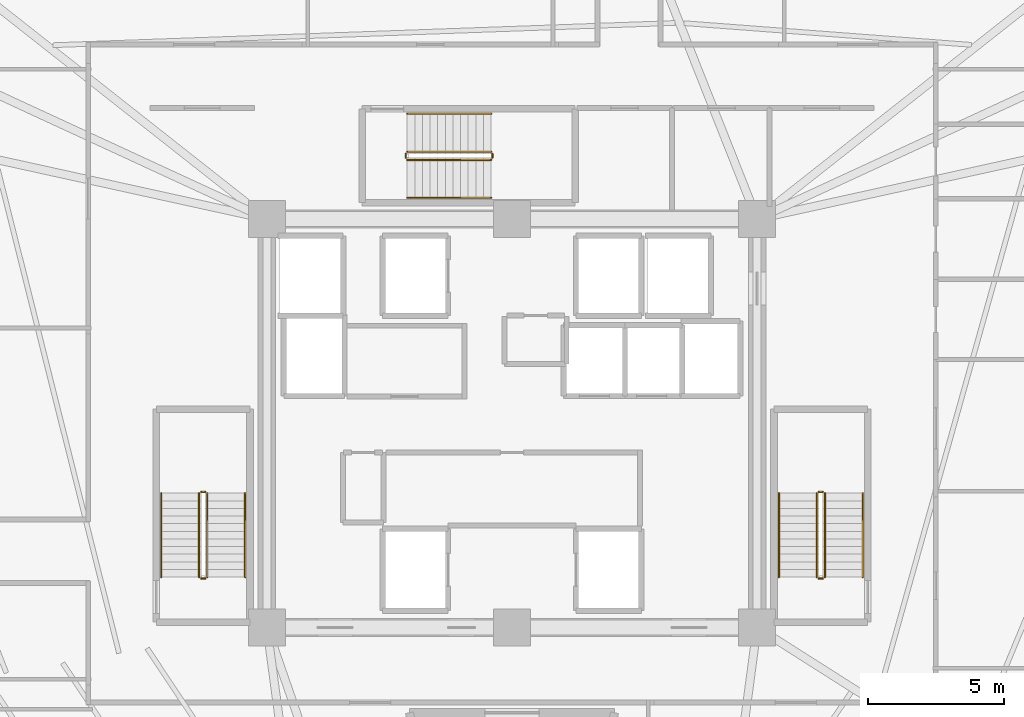
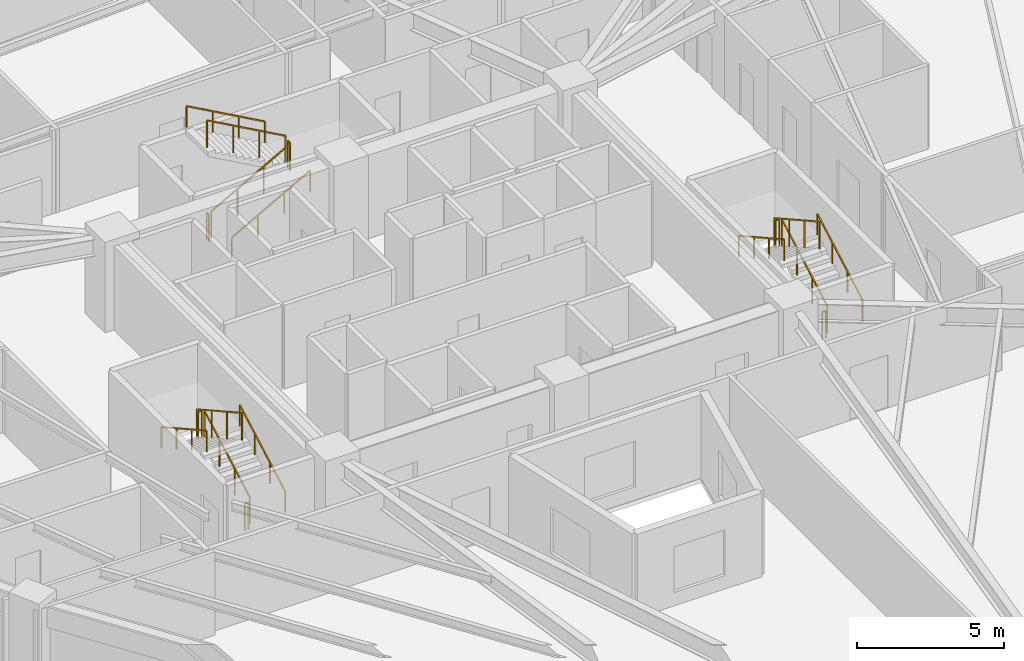
# One storey, part 9 of 9: 18 railings.
"""IFC4 building model written with IfcOpenShell, lengths in metres."""

from ifc_helpers import new_model, si_unit, direction, frame, origin, origin_2d, place, context, subcontext, project, spatial, rectangle, extrude, material, type_object, element, save


model = new_model("IFC4")

# Units and contexts
model_context = context("Model", 3, precision=1e-05, world=origin(), true_north=direction((0.0, 1.0)))
body_context = subcontext(model_context, "Body", "Model", "MODEL_VIEW")
ifc_project = project(units=[si_unit("LENGTHUNIT", "METRE"), si_unit("AREAUNIT", "SQUARE_METRE"), si_unit("VOLUMEUNIT", "CUBIC_METRE"), si_unit("PLANEANGLEUNIT", "RADIAN"), si_unit("MASSUNIT", "GRAM", prefix="KILO")], contexts=[model_context])

# Site, building, storey
site_placement = place(None, origin())
site = spatial("IfcSite", under=ifc_project, at=site_placement, CompositionType="ELEMENT")
building_placement = place(site_placement, origin())
building = spatial("IfcBuilding", under=site, at=building_placement, Name="Liaohun Quay Tower", CompositionType="ELEMENT")
storey_placement = place(building_placement, frame((0.0, 0.0, 228.0)))
storey = spatial("IfcBuildingStorey", under=building, at=storey_placement, Name="L59", CompositionType="ELEMENT", Elevation=228.0)

# Railings
ifc_material_1 = material(Name="Painted tubular steel", Category="steel")
railing_type_1 = type_object("IfcRailingType", Name="RLG-GUARD-STR", PredefinedType="GUARDRAIL", material=ifc_material_1)
railing_1_placement = place(storey_placement, frame((48.81005859375, 48.35009765625, 0.15625)))
element("IfcRailing", 1, at=railing_1_placement, inside=storey, type_object=railing_type_1, Name="L59 ST-1 stair guard 1", PredefinedType="GUARDRAIL", context=body_context, shape_type="SweptSolid", body=[
    extrude(rectangle(XDim=0.048095703125, YDim=0.048095703125, at=origin_2d()), frame((0.0, 0.0, 1.1259765625), z_axis=(0.0, 0.873225103656, 0.487317061414), x_axis=(-1.0, 0.0, 0.0)), (0.0, 0.0, 1.0), 3.52685546875),
    extrude(rectangle(XDim=0.0419921875, YDim=0.0419921875, at=origin_2d()), origin(), (0.0, 0.0, 1.0), 1.101806640625),
    extrude(rectangle(XDim=0.0419921875, YDim=0.0419921875, at=origin_2d()), frame((0.0, 1.026611328125, 0.572998046875)), (0.0, 0.0, 1.0), 1.101806640625),
    extrude(rectangle(XDim=0.0419921875, YDim=0.0419921875, at=origin_2d()), frame((0.0, 2.05322265625, 1.145751953125)), (0.0, 0.0, 1.0), 1.101806640625),
    extrude(rectangle(XDim=0.0419921875, YDim=0.0419921875, at=origin_2d()), frame((0.0, 3.079833984375, 1.71875)), (0.0, 0.0, 1.0), 1.101806640625),
])
railing_2_placement = place(storey_placement, frame((48.72998046875, 51.47998046875, 1.875)))
element("IfcRailing", 2, at=railing_2_placement, inside=storey, type_object=railing_type_1, Name="L59 ST-1 stair guard 2", PredefinedType="GUARDRAIL", context=body_context, shape_type="SweptSolid", body=[
    extrude(rectangle(XDim=0.048095703125, YDim=0.048095703125, at=origin_2d()), frame((0.0, 0.0, 1.1259765625), z_axis=(-1.0, 0.0, 0.0), x_axis=(0.0, -1.0, 0.0)), (0.0, 0.0, 1.0), 0.139892578125),
    extrude(rectangle(XDim=0.0419921875, YDim=0.0419921875, at=origin_2d()), origin(), (0.0, 0.0, 1.0), 1.101806640625),
    extrude(rectangle(XDim=0.0419921875, YDim=0.0419921875, at=origin_2d()), frame((-0.139892578125, 0.0, 0.0)), (0.0, 0.0, 1.0), 1.101806640625),
])
railing_3_placement = place(storey_placement, frame((48.510009765625, 51.429931640625, 2.03125)))
element("IfcRailing", 3, at=railing_3_placement, inside=storey, type_object=railing_type_1, Name="L59 ST-1 stair guard 3", PredefinedType="GUARDRAIL", context=body_context, shape_type="SweptSolid", body=[
    extrude(rectangle(XDim=0.048095703125, YDim=0.048095703125, at=origin_2d()), frame((0.0, 0.0, 1.1259765625), z_axis=(0.0, -0.873225103656, 0.487317061414), x_axis=(1.0, 0.0, 0.0)), (0.0, 0.0, 1.0), 3.52685546875),
    extrude(rectangle(XDim=0.0419921875, YDim=0.0419921875, at=origin_2d()), origin(), (0.0, 0.0, 1.0), 1.101806640625),
    extrude(rectangle(XDim=0.0419921875, YDim=0.0419921875, at=origin_2d()), frame((0.0, -1.026611328125, 0.572998046875)), (0.0, 0.0, 1.0), 1.101806640625),
    extrude(rectangle(XDim=0.0419921875, YDim=0.0419921875, at=origin_2d()), frame((0.0, -2.05322265625, 1.145751953125)), (0.0, 0.0, 1.0), 1.101806640625),
    extrude(rectangle(XDim=0.0419921875, YDim=0.0419921875, at=origin_2d()), frame((0.0, -3.079833984375, 1.71875)), (0.0, 0.0, 1.0), 1.101806640625),
])
railing_4_placement = place(storey_placement, frame((48.72998046875, 48.300048828125, 0.0)))
element("IfcRailing", 4, at=railing_4_placement, inside=storey, type_object=railing_type_1, Name="L59 ST-1 stair guard 4", PredefinedType="GUARDRAIL", context=body_context, shape_type="SweptSolid", body=[
    extrude(rectangle(XDim=0.048095703125, YDim=0.048095703125, at=origin_2d()), frame((0.0, 0.0, 1.1259765625), z_axis=(-1.0, 0.0, 0.0), x_axis=(0.0, -1.0, 0.0)), (0.0, 0.0, 1.0), 0.139892578125),
    extrude(rectangle(XDim=0.0419921875, YDim=0.0419921875, at=origin_2d()), origin(), (0.0, 0.0, 1.0), 1.101806640625),
    extrude(rectangle(XDim=0.0419921875, YDim=0.0419921875, at=origin_2d()), frame((-0.139892578125, 0.0, 0.0)), (0.0, 0.0, 1.0), 1.101806640625),
])
railing_5_placement = place(storey_placement, frame((71.489990234375, 48.35009765625, 0.15625)))
element("IfcRailing", 5, at=railing_5_placement, inside=storey, type_object=railing_type_1, Name="L59 ST-2 stair guard 1", PredefinedType="GUARDRAIL", context=body_context, shape_type="SweptSolid", body=[
    extrude(rectangle(XDim=0.048095703125, YDim=0.048095703125, at=origin_2d()), frame((0.0, 0.0, 1.1259765625), z_axis=(0.0, 0.873225103656, 0.487317061414), x_axis=(-1.0, 0.0, 0.0)), (0.0, 0.0, 1.0), 3.52685546875),
    extrude(rectangle(XDim=0.0419921875, YDim=0.0419921875, at=origin_2d()), origin(), (0.0, 0.0, 1.0), 1.101806640625),
    extrude(rectangle(XDim=0.0419921875, YDim=0.0419921875, at=origin_2d()), frame((0.0, 1.026611328125, 0.572998046875)), (0.0, 0.0, 1.0), 1.101806640625),
    extrude(rectangle(XDim=0.0419921875, YDim=0.0419921875, at=origin_2d()), frame((0.0, 2.05322265625, 1.145751953125)), (0.0, 0.0, 1.0), 1.101806640625),
    extrude(rectangle(XDim=0.0419921875, YDim=0.0419921875, at=origin_2d()), frame((0.0, 3.079833984375, 1.71875)), (0.0, 0.0, 1.0), 1.101806640625),
])
railing_6_placement = place(storey_placement, frame((71.409912109375, 51.47998046875, 1.875)))
element("IfcRailing", 6, at=railing_6_placement, inside=storey, type_object=railing_type_1, Name="L59 ST-2 stair guard 2", PredefinedType="GUARDRAIL", context=body_context, shape_type="SweptSolid", body=[
    extrude(rectangle(XDim=0.048095703125, YDim=0.048095703125, at=origin_2d()), frame((0.0, 0.0, 1.1259765625), z_axis=(-1.0, 0.0, 0.0), x_axis=(0.0, -1.0, 0.0)), (0.0, 0.0, 1.0), 0.139892578125),
    extrude(rectangle(XDim=0.0419921875, YDim=0.0419921875, at=origin_2d()), origin(), (0.0, 0.0, 1.0), 1.101806640625),
    extrude(rectangle(XDim=0.0419921875, YDim=0.0419921875, at=origin_2d()), frame((-0.139892578125, 0.0, 0.0)), (0.0, 0.0, 1.0), 1.101806640625),
])
railing_7_placement = place(storey_placement, frame((71.18994140625, 51.429931640625, 2.03125)))
element("IfcRailing", 7, at=railing_7_placement, inside=storey, type_object=railing_type_1, Name="L59 ST-2 stair guard 3", PredefinedType="GUARDRAIL", context=body_context, shape_type="SweptSolid", body=[
    extrude(rectangle(XDim=0.048095703125, YDim=0.048095703125, at=origin_2d()), frame((0.0, 0.0, 1.1259765625), z_axis=(0.0, -0.873225103656, 0.487317061414), x_axis=(1.0, 0.0, 0.0)), (0.0, 0.0, 1.0), 3.52685546875),
    extrude(rectangle(XDim=0.0419921875, YDim=0.0419921875, at=origin_2d()), origin(), (0.0, 0.0, 1.0), 1.101806640625),
    extrude(rectangle(XDim=0.0419921875, YDim=0.0419921875, at=origin_2d()), frame((0.0, -1.026611328125, 0.572998046875)), (0.0, 0.0, 1.0), 1.101806640625),
    extrude(rectangle(XDim=0.0419921875, YDim=0.0419921875, at=origin_2d()), frame((0.0, -2.05322265625, 1.145751953125)), (0.0, 0.0, 1.0), 1.101806640625),
    extrude(rectangle(XDim=0.0419921875, YDim=0.0419921875, at=origin_2d()), frame((0.0, -3.079833984375, 1.71875)), (0.0, 0.0, 1.0), 1.101806640625),
])
railing_8_placement = place(storey_placement, frame((71.409912109375, 48.300048828125, 0.0)))
element("IfcRailing", 8, at=railing_8_placement, inside=storey, type_object=railing_type_1, Name="L59 ST-2 stair guard 4", PredefinedType="GUARDRAIL", context=body_context, shape_type="SweptSolid", body=[
    extrude(rectangle(XDim=0.048095703125, YDim=0.048095703125, at=origin_2d()), frame((0.0, 0.0, 1.1259765625), z_axis=(-1.0, 0.0, 0.0), x_axis=(0.0, -1.0, 0.0)), (0.0, 0.0, 1.0), 0.139892578125),
    extrude(rectangle(XDim=0.0419921875, YDim=0.0419921875, at=origin_2d()), origin(), (0.0, 0.0, 1.0), 1.101806640625),
    extrude(rectangle(XDim=0.0419921875, YDim=0.0419921875, at=origin_2d()), frame((-0.139892578125, 0.0, 0.0)), (0.0, 0.0, 1.0), 1.101806640625),
])
railing_9_placement = place(storey_placement, frame((56.14990234375, 63.669921875, 0.15625)))
element("IfcRailing", 9, at=railing_9_placement, inside=storey, type_object=railing_type_1, Name="L59 ST-3 stair guard 1", PredefinedType="GUARDRAIL", context=body_context, shape_type="SweptSolid", body=[
    extrude(rectangle(XDim=0.048095703125, YDim=0.048095703125, at=origin_2d()), frame((0.0, 0.0, 1.1259765625), z_axis=(0.873241540666, 0.0, 0.487287606713), x_axis=(0.0, 1.0, 0.0)), (0.0, 0.0, 1.0), 3.527099609375),
    extrude(rectangle(XDim=0.0419921875, YDim=0.0419921875, at=origin_2d()), origin(), (0.0, 0.0, 1.0), 1.101806640625),
    extrude(rectangle(XDim=0.0419921875, YDim=0.0419921875, at=origin_2d()), frame((1.026611328125, 0.0, 0.572998046875)), (0.0, 0.0, 1.0), 1.101806640625),
    extrude(rectangle(XDim=0.0419921875, YDim=0.0419921875, at=origin_2d()), frame((2.053466796875, 0.0, 1.145751953125)), (0.0, 0.0, 1.0), 1.101806640625),
    extrude(rectangle(XDim=0.0419921875, YDim=0.0419921875, at=origin_2d()), frame((3.080078125, 0.0, 1.71875)), (0.0, 0.0, 1.0), 1.101806640625),
])
railing_10_placement = place(storey_placement, frame((59.280029296875, 63.75, 1.875)))
element("IfcRailing", 10, at=railing_10_placement, inside=storey, type_object=railing_type_1, Name="L59 ST-3 stair guard 2", PredefinedType="GUARDRAIL", context=body_context, shape_type="SweptSolid", body=[
    extrude(rectangle(XDim=0.048095703125, YDim=0.048095703125, at=origin_2d()), frame((0.0, 0.0, 1.1259765625), z_axis=(0.0, 1.0, 0.0), x_axis=(-1.0, 0.0, 0.0)), (0.0, 0.0, 1.0), 0.139892578125),
    extrude(rectangle(XDim=0.0419921875, YDim=0.0419921875, at=origin_2d()), origin(), (0.0, 0.0, 1.0), 1.101806640625),
    extrude(rectangle(XDim=0.0419921875, YDim=0.0419921875, at=origin_2d()), frame((0.0, 0.139892578125, 0.0)), (0.0, 0.0, 1.0), 1.101806640625),
])
railing_11_placement = place(storey_placement, frame((59.22998046875, 63.969970703125, 2.03125)))
element("IfcRailing", 11, at=railing_11_placement, inside=storey, type_object=railing_type_1, Name="L59 ST-3 stair guard 3", PredefinedType="GUARDRAIL", context=body_context, shape_type="SweptSolid", body=[
    extrude(rectangle(XDim=0.048095703125, YDim=0.048095703125, at=origin_2d()), frame((0.0, 0.0, 1.1259765625), z_axis=(-0.873241540666, 0.0, 0.487287606713), x_axis=(0.0, -1.0, 0.0)), (0.0, 0.0, 1.0), 3.527099609375),
    extrude(rectangle(XDim=0.0419921875, YDim=0.0419921875, at=origin_2d()), origin(), (0.0, 0.0, 1.0), 1.101806640625),
    extrude(rectangle(XDim=0.0419921875, YDim=0.0419921875, at=origin_2d()), frame((-1.026611328125, 0.0, 0.572998046875)), (0.0, 0.0, 1.0), 1.101806640625),
    extrude(rectangle(XDim=0.0419921875, YDim=0.0419921875, at=origin_2d()), frame((-2.053466796875, 0.0, 1.145751953125)), (0.0, 0.0, 1.0), 1.101806640625),
    extrude(rectangle(XDim=0.0419921875, YDim=0.0419921875, at=origin_2d()), frame((-3.080078125, 0.0, 1.71875)), (0.0, 0.0, 1.0), 1.101806640625),
])
railing_12_placement = place(storey_placement, frame((56.10009765625, 63.75, 0.0)))
element("IfcRailing", 12, at=railing_12_placement, inside=storey, type_object=railing_type_1, Name="L59 ST-3 stair guard 4", PredefinedType="GUARDRAIL", context=body_context, shape_type="SweptSolid", body=[
    extrude(rectangle(XDim=0.048095703125, YDim=0.048095703125, at=origin_2d()), frame((0.0, 0.0, 1.1259765625), z_axis=(0.0, 1.0, 0.0), x_axis=(-1.0, 0.0, 0.0)), (0.0, 0.0, 1.0), 0.139892578125),
    extrude(rectangle(XDim=0.0419921875, YDim=0.0419921875, at=origin_2d()), origin(), (0.0, 0.0, 1.0), 1.101806640625),
    extrude(rectangle(XDim=0.0419921875, YDim=0.0419921875, at=origin_2d()), frame((0.0, 0.139892578125, 0.0)), (0.0, 0.0, 1.0), 1.101806640625),
])
ifc_material_2 = material(Name="Brushed stainless steel", Category="steel")
railing_type_2 = type_object("IfcRailingType", Name="RLG-HND-STR", PredefinedType="HANDRAIL", material=ifc_material_2)
railing_13_placement = place(storey_placement, frame((50.199951171875, 48.35009765625, 0.15625)))
element("IfcRailing", 13, at=railing_13_placement, inside=storey, type_object=railing_type_2, Name="L59 ST-1 stair handrail 1", PredefinedType="HANDRAIL", context=body_context, shape_type="SweptSolid", body=[
    extrude(rectangle(XDim=0.048095703125, YDim=0.048095703125, at=origin_2d()), frame((0.0, 0.0, 0.8759765625), z_axis=(0.0, 0.873225103656, 0.487317061414), x_axis=(-1.0, 0.0, 0.0)), (0.0, 0.0, 1.0), 3.52685546875),
    extrude(rectangle(XDim=0.0419921875, YDim=0.0419921875, at=origin_2d()), origin(), (0.0, 0.0, 1.0), 0.851806640625),
    extrude(rectangle(XDim=0.0419921875, YDim=0.0419921875, at=origin_2d()), frame((0.0, 1.026611328125, 0.572998046875)), (0.0, 0.0, 1.0), 0.851806640625),
    extrude(rectangle(XDim=0.0419921875, YDim=0.0419921875, at=origin_2d()), frame((0.0, 2.05322265625, 1.145751953125)), (0.0, 0.0, 1.0), 0.851806640625),
    extrude(rectangle(XDim=0.0419921875, YDim=0.0419921875, at=origin_2d()), frame((0.0, 3.079833984375, 1.71875)), (0.0, 0.0, 1.0), 0.851806640625),
])
railing_14_placement = place(storey_placement, frame((47.1201171875, 51.429931640625, 2.03125)))
element("IfcRailing", 14, at=railing_14_placement, inside=storey, type_object=railing_type_2, Name="L59 ST-1 stair handrail 2", PredefinedType="HANDRAIL", context=body_context, shape_type="SweptSolid", body=[
    extrude(rectangle(XDim=0.048095703125, YDim=0.048095703125, at=origin_2d()), frame((0.0, 0.0, 0.8759765625), z_axis=(0.0, -0.873225103656, 0.487317061414), x_axis=(1.0, 0.0, 0.0)), (0.0, 0.0, 1.0), 3.52685546875),
    extrude(rectangle(XDim=0.0419921875, YDim=0.0419921875, at=origin_2d()), origin(), (0.0, 0.0, 1.0), 0.851806640625),
    extrude(rectangle(XDim=0.0419921875, YDim=0.0419921875, at=origin_2d()), frame((0.0, -1.026611328125, 0.572998046875)), (0.0, 0.0, 1.0), 0.851806640625),
    extrude(rectangle(XDim=0.0419921875, YDim=0.0419921875, at=origin_2d()), frame((0.0, -2.05322265625, 1.145751953125)), (0.0, 0.0, 1.0), 0.851806640625),
    extrude(rectangle(XDim=0.0419921875, YDim=0.0419921875, at=origin_2d()), frame((0.0, -3.079833984375, 1.71875)), (0.0, 0.0, 1.0), 0.851806640625),
])
railing_15_placement = place(storey_placement, frame((72.8798828125, 48.35009765625, 0.15625)))
element("IfcRailing", 15, at=railing_15_placement, inside=storey, type_object=railing_type_2, Name="L59 ST-2 stair handrail 1", PredefinedType="HANDRAIL", context=body_context, shape_type="SweptSolid", body=[
    extrude(rectangle(XDim=0.048095703125, YDim=0.048095703125, at=origin_2d()), frame((0.0, 0.0, 0.8759765625), z_axis=(0.0, 0.873225103656, 0.487317061414), x_axis=(-1.0, 0.0, 0.0)), (0.0, 0.0, 1.0), 3.52685546875),
    extrude(rectangle(XDim=0.0419921875, YDim=0.0419921875, at=origin_2d()), origin(), (0.0, 0.0, 1.0), 0.851806640625),
    extrude(rectangle(XDim=0.0419921875, YDim=0.0419921875, at=origin_2d()), frame((0.0, 1.026611328125, 0.572998046875)), (0.0, 0.0, 1.0), 0.851806640625),
    extrude(rectangle(XDim=0.0419921875, YDim=0.0419921875, at=origin_2d()), frame((0.0, 2.05322265625, 1.145751953125)), (0.0, 0.0, 1.0), 0.851806640625),
    extrude(rectangle(XDim=0.0419921875, YDim=0.0419921875, at=origin_2d()), frame((0.0, 3.079833984375, 1.71875)), (0.0, 0.0, 1.0), 0.851806640625),
])
railing_16_placement = place(storey_placement, frame((69.800048828125, 51.429931640625, 2.03125)))
element("IfcRailing", 16, at=railing_16_placement, inside=storey, type_object=railing_type_2, Name="L59 ST-2 stair handrail 2", PredefinedType="HANDRAIL", context=body_context, shape_type="SweptSolid", body=[
    extrude(rectangle(XDim=0.048095703125, YDim=0.048095703125, at=origin_2d()), frame((0.0, 0.0, 0.8759765625), z_axis=(0.0, -0.873225103656, 0.487317061414), x_axis=(1.0, 0.0, 0.0)), (0.0, 0.0, 1.0), 3.52685546875),
    extrude(rectangle(XDim=0.0419921875, YDim=0.0419921875, at=origin_2d()), origin(), (0.0, 0.0, 1.0), 0.851806640625),
    extrude(rectangle(XDim=0.0419921875, YDim=0.0419921875, at=origin_2d()), frame((0.0, -1.026611328125, 0.572998046875)), (0.0, 0.0, 1.0), 0.851806640625),
    extrude(rectangle(XDim=0.0419921875, YDim=0.0419921875, at=origin_2d()), frame((0.0, -2.05322265625, 1.145751953125)), (0.0, 0.0, 1.0), 0.851806640625),
    extrude(rectangle(XDim=0.0419921875, YDim=0.0419921875, at=origin_2d()), frame((0.0, -3.079833984375, 1.71875)), (0.0, 0.0, 1.0), 0.851806640625),
])
railing_17_placement = place(storey_placement, frame((56.14990234375, 62.280029296875, 0.15625)))
element("IfcRailing", 17, at=railing_17_placement, inside=storey, type_object=railing_type_2, Name="L59 ST-3 stair handrail 1", PredefinedType="HANDRAIL", context=body_context, shape_type="SweptSolid", body=[
    extrude(rectangle(XDim=0.048095703125, YDim=0.048095703125, at=origin_2d()), frame((0.0, 0.0, 0.8759765625), z_axis=(0.873241540666, 0.0, 0.487287606713), x_axis=(0.0, 1.0, 0.0)), (0.0, 0.0, 1.0), 3.527099609375),
    extrude(rectangle(XDim=0.0419921875, YDim=0.0419921875, at=origin_2d()), origin(), (0.0, 0.0, 1.0), 0.851806640625),
    extrude(rectangle(XDim=0.0419921875, YDim=0.0419921875, at=origin_2d()), frame((1.026611328125, 0.0, 0.572998046875)), (0.0, 0.0, 1.0), 0.851806640625),
    extrude(rectangle(XDim=0.0419921875, YDim=0.0419921875, at=origin_2d()), frame((2.053466796875, 0.0, 1.145751953125)), (0.0, 0.0, 1.0), 0.851806640625),
    extrude(rectangle(XDim=0.0419921875, YDim=0.0419921875, at=origin_2d()), frame((3.080078125, 0.0, 1.71875)), (0.0, 0.0, 1.0), 0.851806640625),
])
railing_18_placement = place(storey_placement, frame((59.22998046875, 65.360107421875, 2.03125)))
element("IfcRailing", 18, at=railing_18_placement, inside=storey, type_object=railing_type_2, Name="L59 ST-3 stair handrail 2", PredefinedType="HANDRAIL", context=body_context, shape_type="SweptSolid", body=[
    extrude(rectangle(XDim=0.048095703125, YDim=0.048095703125, at=origin_2d()), frame((0.0, 0.0, 0.8759765625), z_axis=(-0.873241540666, 0.0, 0.487287606713), x_axis=(0.0, -1.0, 0.0)), (0.0, 0.0, 1.0), 3.527099609375),
    extrude(rectangle(XDim=0.0419921875, YDim=0.0419921875, at=origin_2d()), origin(), (0.0, 0.0, 1.0), 0.851806640625),
    extrude(rectangle(XDim=0.0419921875, YDim=0.0419921875, at=origin_2d()), frame((-1.026611328125, 0.0, 0.572998046875)), (0.0, 0.0, 1.0), 0.851806640625),
    extrude(rectangle(XDim=0.0419921875, YDim=0.0419921875, at=origin_2d()), frame((-2.053466796875, 0.0, 1.145751953125)), (0.0, 0.0, 1.0), 0.851806640625),
    extrude(rectangle(XDim=0.0419921875, YDim=0.0419921875, at=origin_2d()), frame((-3.080078125, 0.0, 1.71875)), (0.0, 0.0, 1.0), 0.851806640625),
])

save(model, "model.ifc")
